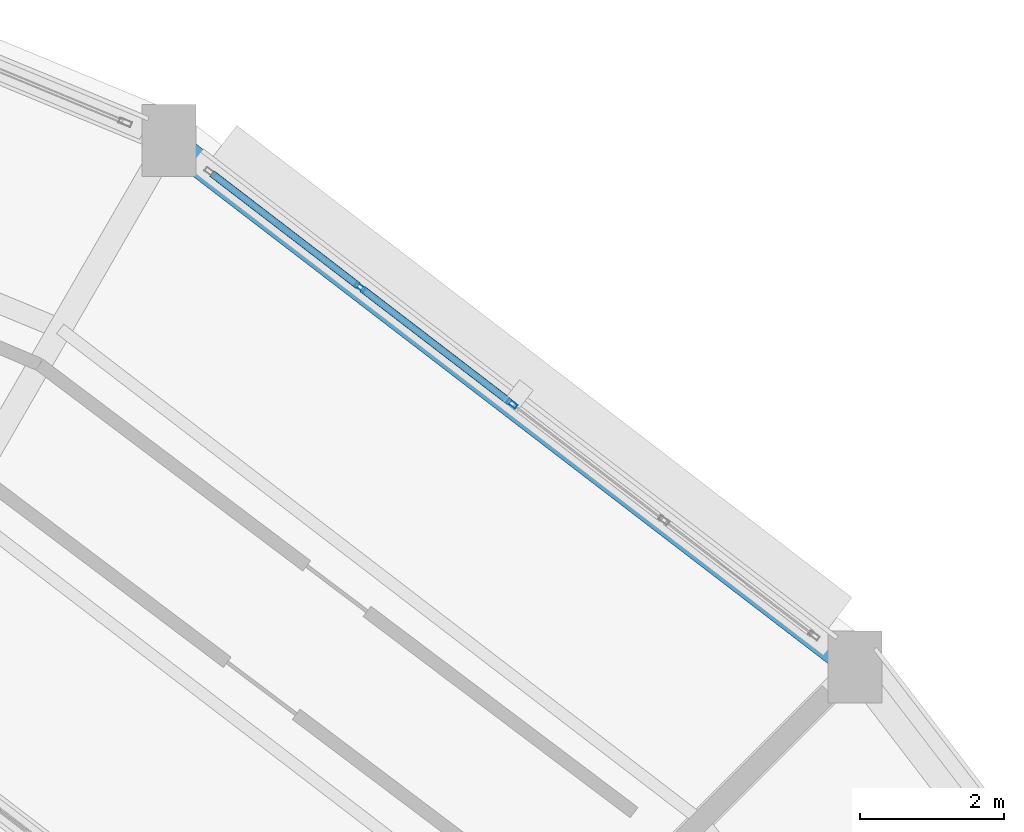
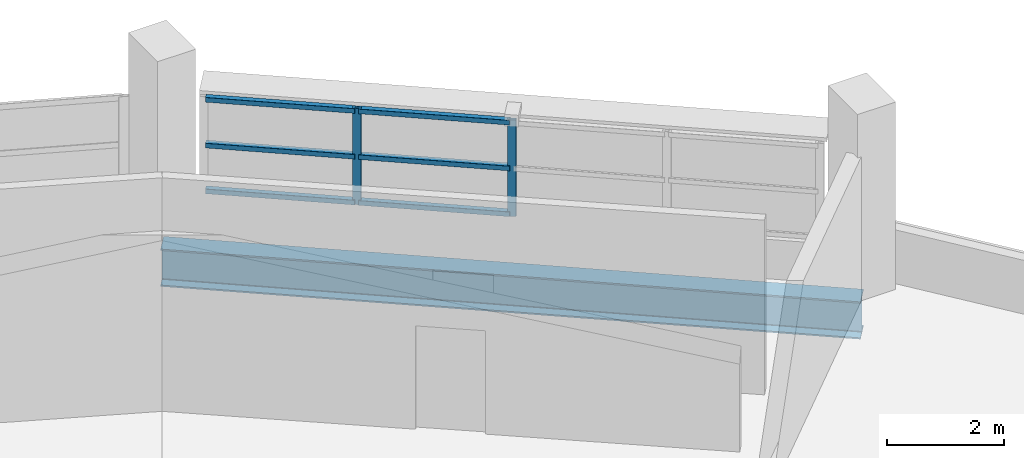
# One storey, part 58 of 88: 8 members, 1 beam, 1 element without a shape of its own.
"""IFC4 building model written with IfcOpenShell, lengths in metres."""

from ifc_helpers import new_model, si_unit, direction, frame, origin, origin_2d, place, context, subcontext, project, spatial, hollow_rectangle, i_section, extrude, material, layer, layer_set, material_profile, profile_set, type_object, element, aggregate, save


model = new_model("IFC4")

# Units and contexts
model_context = context("Model", 3, precision=1e-05, world=origin(), true_north=direction((0.0, 1.0)))
body_context = subcontext(model_context, "Body", "Model", "MODEL_VIEW")
ifc_project = project(units=[si_unit("LENGTHUNIT", "METRE"), si_unit("AREAUNIT", "SQUARE_METRE"), si_unit("VOLUMEUNIT", "CUBIC_METRE"), si_unit("PLANEANGLEUNIT", "RADIAN"), si_unit("MASSUNIT", "GRAM", prefix="KILO")], contexts=[model_context])

# Site, building, storey
site_placement = place(None, origin())
site = spatial("IfcSite", under=ifc_project, at=site_placement, CompositionType="ELEMENT")
building_placement = place(site_placement, origin())
building = spatial("IfcBuilding", under=site, at=building_placement, Name="Vespera Passage Community Centre", CompositionType="ELEMENT")
storey_placement = place(building_placement, frame((0.0, 0.0, 16.5)))
storey = spatial("IfcBuildingStorey", under=building, at=storey_placement, Name="L04", CompositionType="ELEMENT", Elevation=16.5)

# Beam
ifc_material_1 = material(Name="Steel ASTM A992 Grade 50", Category="steel")
ifc_material_profile_1 = material_profile(ifc_material_1, i_section(OverallWidth=0.382080078125, OverallDepth=0.779296875, WebThickness=0.01806640625, FlangeThickness=0.030029296875, FilletRadius=0.0166015625, at=origin_2d()), Name="W30X191")
ifc_profile_set_1 = profile_set([ifc_material_profile_1], Name="Steel ASTM A992 Grade 50")
beam_type = type_object("IfcBeamType", Name="BM-SP-W30X191E", PredefinedType="SPANDREL", material=ifc_profile_set_1)
beam_placement = place(storey_placement, frame((110.59765625, 98.09765625, -0.689697265625), z_axis=(-0.793351934501, 0.608763261066, 0.0), x_axis=(-0.608763261066, -0.793351934501, 0.0)))
element("IfcBeam", 1, at=beam_placement, inside=storey, type_object=beam_type, Name="V4 L04 Outer Spandrel 3", PredefinedType="SPANDREL", context=body_context, shape_type="SweptSolid", body=[
    extrude(i_section(OverallWidth=0.382080078125, OverallDepth=0.779296875, WebThickness=0.01806640625, FlangeThickness=0.030029296875, FilletRadius=0.0166015625, at=origin_2d()), origin(), (0.0, 0.0, 1.0), 12.034423828125),
])

# Curtain wall, members
ifc_material_2 = material(Name="Anodized aluminium 6063-T6", Category="aluminium")
ifc_layer = layer(ifc_material_2, 0.159912109375)
ifc_layer_set = layer_set([ifc_layer], Name="Anodized aluminium 6063-T6")
curtain_wall_type = type_object("IfcCurtainWallType", Name="CW-53E", PredefinedType="NOTDEFINED", material=ifc_layer_set)
curtain_wall_placement = place(storey_placement, origin())
curtain_wall = element("IfcCurtainWall", 2, at=curtain_wall_placement, inside=storey, type_object=curtain_wall_type, Name="V4 L04 Outer Ribbon Curtain Wall 3", PredefinedType="NOTDEFINED")
ifc_material_3 = material(Name="Anodized aluminium 6063-T6", Category="aluminium")
ifc_material_profile_2 = material_profile(ifc_material_3, hollow_rectangle(XDim=0.06494140625, YDim=0.14990234375, WallThickness=0.00390625, InnerFilletRadius=0.001953125, OuterFilletRadius=0.00390625, at=origin_2d()), Name="ALU150X65X4")
ifc_profile_set_2 = profile_set([ifc_material_profile_2], Name="Anodized aluminium 6063-T6")
member_type_1 = type_object("IfcMemberType", Name="MB-CWM-150E", PredefinedType="MULLION", material=ifc_profile_set_2)
member_1_placement = place(storey_placement, frame((103.709716796875, 103.383056640625, 0.820068359375), z_axis=(0.0, 0.0, 1.0), x_axis=(0.608771824991, 0.793345363065, 0.0)))
member_1 = element("IfcMember", 3, at=member_1_placement, type_object=member_type_1, Name="CW-53E mullion 2", PredefinedType="MULLION", context=body_context, shape_type="SweptSolid", body=[
    extrude(hollow_rectangle(XDim=0.06494140625, YDim=0.14990234375, WallThickness=0.00390625, InnerFilletRadius=0.001953125, OuterFilletRadius=0.00390625, at=origin_2d()), origin(), (0.0, 0.0, 1.0), 2.005615234375),
])
member_2_placement = place(storey_placement, frame((105.82373046875, 101.7607421875, 0.820068359375), z_axis=(0.0, 0.0, 1.0), x_axis=(0.608771824991, 0.793345363065, 0.0)))
member_2 = element("IfcMember", 4, at=member_2_placement, type_object=member_type_1, Name="CW-53E mullion 3", PredefinedType="MULLION", context=body_context, shape_type="SweptSolid", body=[
    extrude(hollow_rectangle(XDim=0.06494140625, YDim=0.14990234375, WallThickness=0.00390625, InnerFilletRadius=0.001953125, OuterFilletRadius=0.00390625, at=origin_2d()), origin(), (0.0, 0.0, 1.0), 2.005615234375),
])
ifc_material_4 = material(Name="Anodized aluminium 6063-T6", Category="aluminium")
ifc_material_profile_3 = material_profile(ifc_material_4, hollow_rectangle(XDim=0.10009765625, YDim=0.10009765625, WallThickness=0.00390625, InnerFilletRadius=0.001953125, OuterFilletRadius=0.00390625, at=origin_2d()), Name="ALU100X100X4")
ifc_profile_set_3 = profile_set([ifc_material_profile_3], Name="Anodized aluminium 6063-T6")
member_type_2 = type_object("IfcMemberType", Name="MB-CWT-100E", PredefinedType="USERDEFINED", material=ifc_profile_set_3)
member_3_placement = place(storey_placement, frame((101.647216796875, 104.965576171875, 0.8701171875), z_axis=(0.793355257183, -0.608758930859, 0.0), x_axis=(0.608758930859, 0.793355257183, 0.0)))
member_3 = element("IfcMember", 5, at=member_3_placement, type_object=member_type_2, Name="CW-53E transom 1.1", ObjectType="TRANSOM", PredefinedType="USERDEFINED", context=body_context, shape_type="SweptSolid", body=[
    extrude(hollow_rectangle(XDim=0.10009765625, YDim=0.10009765625, WallThickness=0.00390625, InnerFilletRadius=0.001953125, OuterFilletRadius=0.00390625, at=origin_2d()), origin(), (0.0, 0.0, 1.0), 2.567138671875),
])
member_4_placement = place(storey_placement, frame((101.647216796875, 104.965576171875, 1.82275390625), z_axis=(0.793355257183, -0.608758930859, 0.0), x_axis=(0.608758930859, 0.793355257183, 0.0)))
member_4 = element("IfcMember", 6, at=member_4_placement, type_object=member_type_2, Name="CW-53E transom 1.2", ObjectType="TRANSOM", PredefinedType="USERDEFINED", context=body_context, shape_type="SweptSolid", body=[
    extrude(hollow_rectangle(XDim=0.10009765625, YDim=0.10009765625, WallThickness=0.00390625, InnerFilletRadius=0.001953125, OuterFilletRadius=0.00390625, at=origin_2d()), origin(), (0.0, 0.0, 1.0), 2.567138671875),
])
member_5_placement = place(storey_placement, frame((101.647216796875, 104.965576171875, 2.775634765625), z_axis=(0.793355257183, -0.608758930859, 0.0), x_axis=(0.608758930859, 0.793355257183, 0.0)))
member_5 = element("IfcMember", 7, at=member_5_placement, type_object=member_type_2, Name="CW-53E transom 1.3", ObjectType="TRANSOM", PredefinedType="USERDEFINED", context=body_context, shape_type="SweptSolid", body=[
    extrude(hollow_rectangle(XDim=0.10009765625, YDim=0.10009765625, WallThickness=0.00390625, InnerFilletRadius=0.001953125, OuterFilletRadius=0.00390625, at=origin_2d()), origin(), (0.0, 0.0, 1.0), 2.567138671875),
])
member_6_placement = place(storey_placement, frame((103.735595703125, 103.36328125, 0.8701171875), z_axis=(0.793325147434, -0.608798168894, 0.0), x_axis=(0.608798168894, 0.793325147434, 0.0)))
member_6 = element("IfcMember", 8, at=member_6_placement, type_object=member_type_2, Name="CW-53E transom 2.1", ObjectType="TRANSOM", PredefinedType="USERDEFINED", context=body_context, shape_type="SweptSolid", body=[
    extrude(hollow_rectangle(XDim=0.10009765625, YDim=0.10009765625, WallThickness=0.00390625, InnerFilletRadius=0.001953125, OuterFilletRadius=0.00390625, at=origin_2d()), origin(), (0.0, 0.0, 1.0), 2.599853515625),
])
member_7_placement = place(storey_placement, frame((103.735595703125, 103.36328125, 1.82275390625), z_axis=(0.793325147434, -0.608798168894, 0.0), x_axis=(0.608798168894, 0.793325147434, 0.0)))
member_7 = element("IfcMember", 9, at=member_7_placement, type_object=member_type_2, Name="CW-53E transom 2.2", ObjectType="TRANSOM", PredefinedType="USERDEFINED", context=body_context, shape_type="SweptSolid", body=[
    extrude(hollow_rectangle(XDim=0.10009765625, YDim=0.10009765625, WallThickness=0.00390625, InnerFilletRadius=0.001953125, OuterFilletRadius=0.00390625, at=origin_2d()), origin(), (0.0, 0.0, 1.0), 2.599853515625),
])
member_8_placement = place(storey_placement, frame((103.735595703125, 103.36328125, 2.775634765625), z_axis=(0.793325147434, -0.608798168894, 0.0), x_axis=(0.608798168894, 0.793325147434, 0.0)))
member_8 = element("IfcMember", 10, at=member_8_placement, type_object=member_type_2, Name="CW-53E transom 2.3", ObjectType="TRANSOM", PredefinedType="USERDEFINED", context=body_context, shape_type="SweptSolid", body=[
    extrude(hollow_rectangle(XDim=0.10009765625, YDim=0.10009765625, WallThickness=0.00390625, InnerFilletRadius=0.001953125, OuterFilletRadius=0.00390625, at=origin_2d()), origin(), (0.0, 0.0, 1.0), 2.599853515625),
])
aggregate(curtain_wall, [member_1, member_2, member_3, member_4, member_5, member_6, member_7, member_8])

save(model, "model.ifc")
